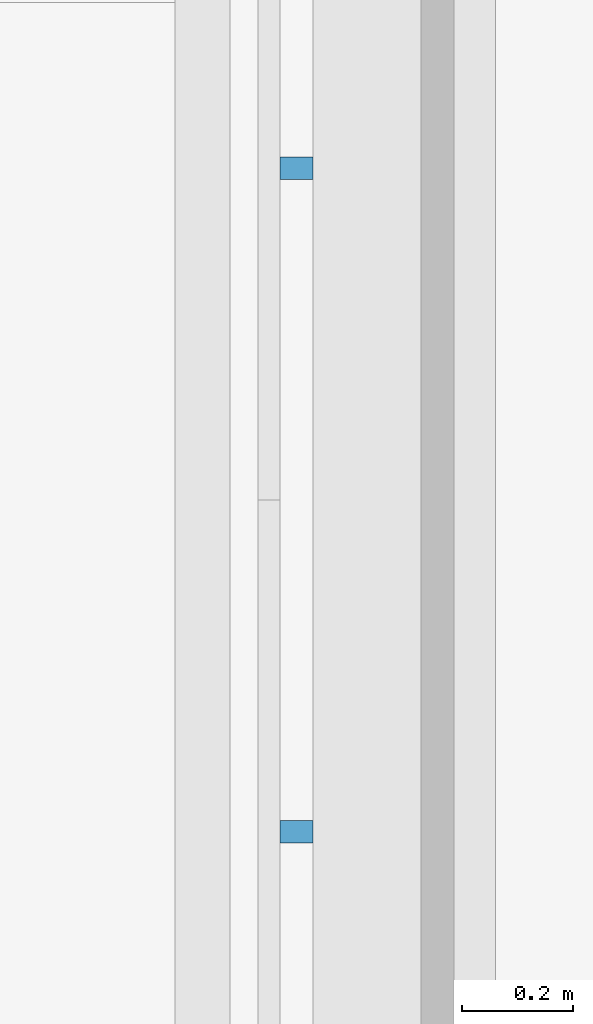
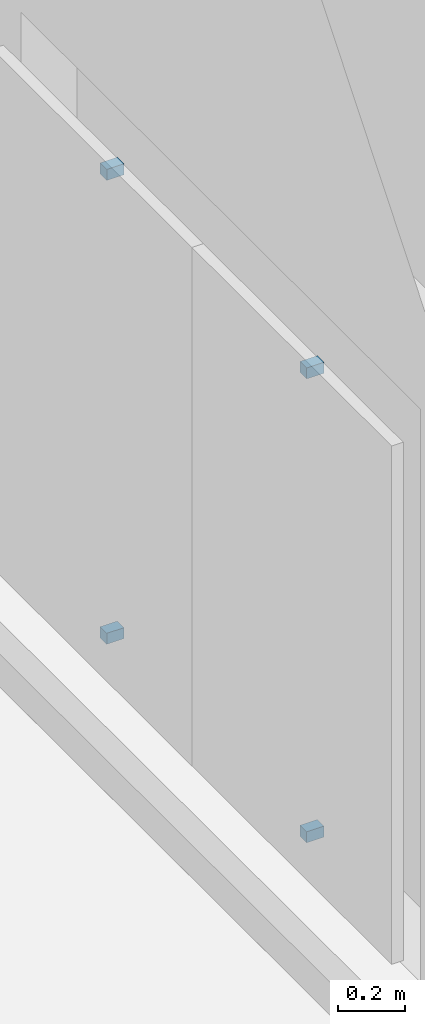
# One storey, part 52 of 84: 4 discrete accessories.
"""IFC4 building model written with IfcOpenShell, lengths in metres."""

from ifc_helpers import new_model, si_unit, direction, frame, origin, origin_2d, place, context, subcontext, project, spatial, rectangle, extrude, material, type_object, element, save


model = new_model("IFC4")

# Units and contexts
model_context = context("Model", 3, precision=1e-05, world=origin(), true_north=direction((0.0, 1.0)))
body_context = subcontext(model_context, "Body", "Model", "MODEL_VIEW")
ifc_project = project(units=[si_unit("LENGTHUNIT", "METRE"), si_unit("AREAUNIT", "SQUARE_METRE"), si_unit("VOLUMEUNIT", "CUBIC_METRE"), si_unit("PLANEANGLEUNIT", "RADIAN"), si_unit("MASSUNIT", "GRAM", prefix="KILO")], contexts=[model_context])

# Site, building, storey
site_placement = place(None, origin())
site = spatial("IfcSite", under=ifc_project, at=site_placement, CompositionType="ELEMENT")
building_placement = place(site_placement, origin())
building = spatial("IfcBuilding", under=site, at=building_placement, Name="Mazhai Court Health Centre", CompositionType="ELEMENT")
storey_placement = place(building_placement, origin())
storey = spatial("IfcBuildingStorey", under=building, at=storey_placement, Name="L00", CompositionType="ELEMENT", Elevation=0.0)

# Discrete accessories
ifc_material = material(Name="Steel IS 2062 E250", Category="steel")
discrete_accessory_type = type_object("IfcDiscreteAccessoryType", Name="BRACKET 40", PredefinedType="BRACKET", material=ifc_material)
for number, where, z_axis, x_axis, name in (
    (1, (6.0048828125, 32.60009765625, 0.6298828125), (0.0, 0.0, 1.0), (0.0, 1.0, 0.0), "BR-V2-L00-A31a0"),
    (2, (6.0048828125, 32.60009765625, 2.330078125), (0.0, 0.0, 1.0), (0.0, 1.0, 0.0), "BR-V2-L00-A31a1"),
    (3, (6.0048828125, 33.800048828125, 0.6298828125), (0.0, 0.0, 1.0), (0.0, 1.0, 0.0), "BR-V2-L00-A31b0"),
    (4, (6.0048828125, 33.800048828125, 2.330078125), (0.0, 0.0, 1.0), (0.0, 1.0, 0.0), "BR-V2-L00-A31b1"),
):
    element("IfcDiscreteAccessory", number, at=place(storey_placement, frame(where, z_axis=z_axis, x_axis=x_axis)), inside=storey, type_object=discrete_accessory_type, Name=name, PredefinedType="BRACKET", context=body_context, shape_type="SweptSolid", body=[
        extrude(rectangle(XDim=0.0400390625, YDim=0.06005859375, at=origin_2d()), origin(), (0.0, 0.0, 1.0), 0.0400390625),
    ])

save(model, "model.ifc")
